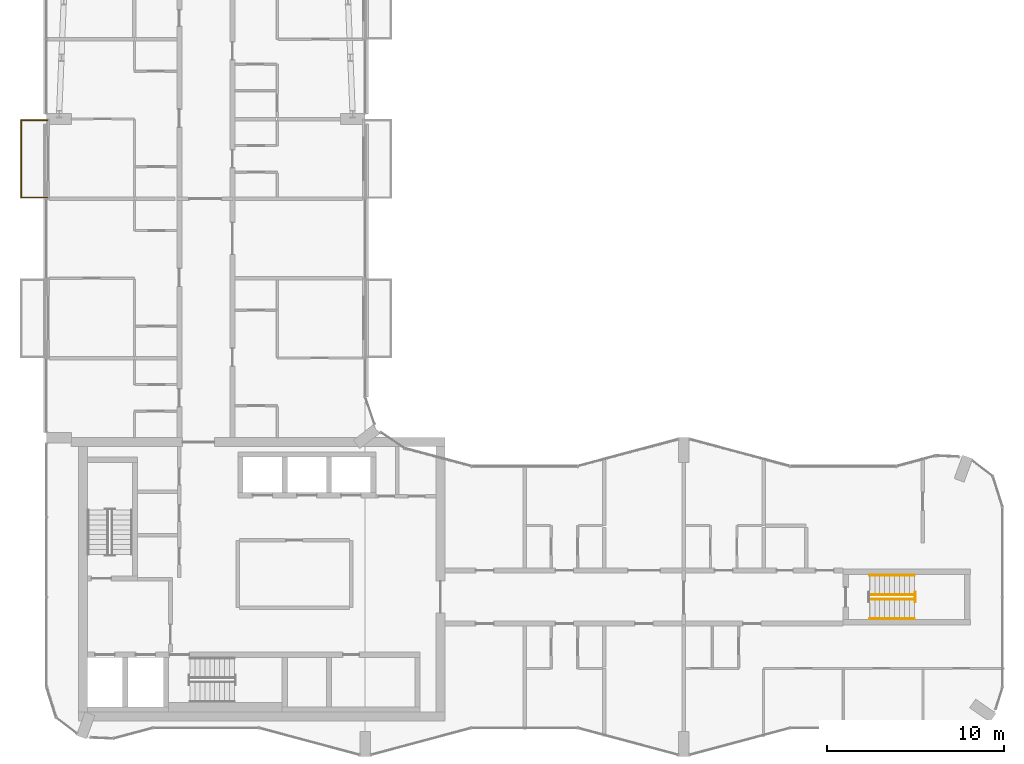
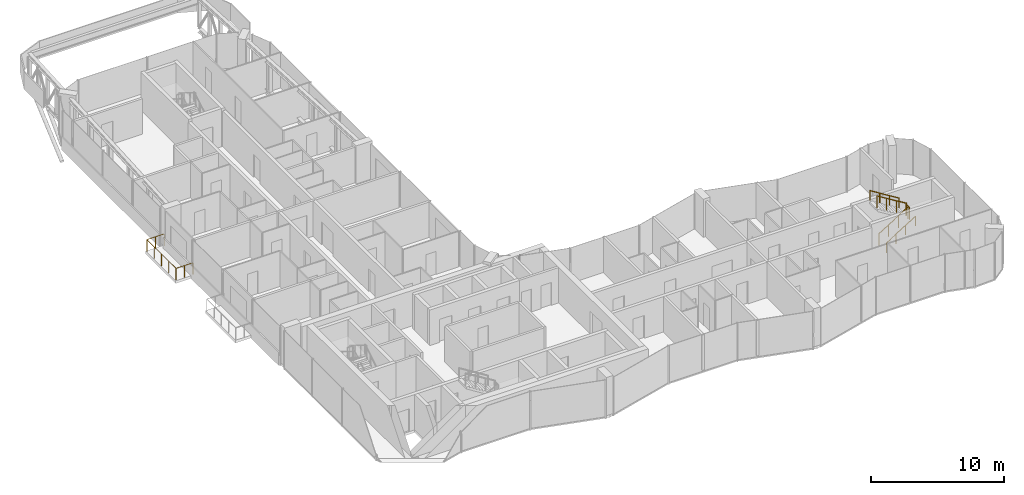
# One storey, part 16 of 17: 6 railings.
"""IFC4 building model written with IfcOpenShell, lengths in metres."""

from ifc_helpers import new_model, si_unit, direction, frame, origin, origin_2d, place, context, subcontext, project, spatial, circle, extrude, material, type_object, element, save


model = new_model("IFC4")

# Units and contexts
model_context = context("Model", 3, precision=1e-05, world=origin(), true_north=direction((0.0, 1.0)))
body_context = subcontext(model_context, "Body", "Model", "MODEL_VIEW")
ifc_project = project(units=[si_unit("LENGTHUNIT", "METRE"), si_unit("AREAUNIT", "SQUARE_METRE"), si_unit("VOLUMEUNIT", "CUBIC_METRE"), si_unit("PLANEANGLEUNIT", "RADIAN"), si_unit("MASSUNIT", "GRAM", prefix="KILO")], contexts=[model_context])

# Site, building, storey
site_placement = place(None, origin())
site = spatial("IfcSite", under=ifc_project, at=site_placement, CompositionType="ELEMENT")
building_placement = place(site_placement, origin())
building = spatial("IfcBuilding", under=site, at=building_placement, Name="Plateau Cross Towers", CompositionType="ELEMENT")
storey_placement = place(building_placement, frame((0.0, 0.0, 222.39990234375)))
storey = spatial("IfcBuildingStorey", under=building, at=storey_placement, Name="L58", CompositionType="ELEMENT", Elevation=222.39990234375)

# Railings
ifc_material_1 = material(Name="Stainless steel and toughened glass", Category="steel")
railing_type_1 = type_object("IfcRailingType", Name="Glass balustrade guard 1100", PredefinedType="GUARDRAIL", material=ifc_material_1)
railing_1_placement = place(storey_placement, frame((0.050048828125, 31.570068359375, 0.0)))
element("IfcRailing", 1, at=railing_1_placement, inside=storey, type_object=railing_type_1, Name="Guard guard1", PredefinedType="GUARDRAIL", context=body_context, shape_type="SweptSolid", body=[
    extrude(circle(Radius=0.02392578125, at=origin_2d()), frame((0.0, 0.0, 1.076171875), z_axis=(-1.0, 0.0, 0.0), x_axis=(0.0, -1.0, 0.0)), (0.0, 0.0, 1.0), 1.47998046875),
    extrude(circle(Radius=0.02392578125, at=origin_2d()), frame((-1.47998046875, 0.0, 1.076171875), z_axis=(0.0, 1.0, 0.0), x_axis=(-1.0, 0.0, 0.0)), (0.0, 0.0, 1.0), 4.35986328125),
    extrude(circle(Radius=0.02392578125, at=origin_2d()), frame((-1.47998046875, 4.35986328125, 1.076171875), z_axis=(1.0, 0.0, 0.0), x_axis=(0.0, 1.0, 0.0)), (0.0, 0.0, 1.0), 1.47998046875),
    extrude(circle(Radius=0.02099609375, at=origin_2d()), origin(), (0.0, 0.0, 1.0), 1.052001953125),
    extrude(circle(Radius=0.02099609375, at=origin_2d()), frame((-0.739990234375, 0.0, 0.0)), (0.0, 0.0, 1.0), 1.052001953125),
    extrude(circle(Radius=0.02099609375, at=origin_2d()), frame((-1.47998046875, 0.0, 0.0)), (0.0, 0.0, 1.0), 1.052001953125),
    extrude(circle(Radius=0.02099609375, at=origin_2d()), frame((-1.47998046875, 1.08984375, 0.0)), (0.0, 0.0, 1.0), 1.052001953125),
    extrude(circle(Radius=0.02099609375, at=origin_2d()), frame((-1.47998046875, 2.179931640625, 0.0)), (0.0, 0.0, 1.0), 1.052001953125),
    extrude(circle(Radius=0.02099609375, at=origin_2d()), frame((-1.47998046875, 3.27001953125, 0.0)), (0.0, 0.0, 1.0), 1.052001953125),
    extrude(circle(Radius=0.02099609375, at=origin_2d()), frame((-1.47998046875, 4.35986328125, 0.0)), (0.0, 0.0, 1.0), 1.052001953125),
    extrude(circle(Radius=0.02099609375, at=origin_2d()), frame((-0.739990234375, 4.35986328125, 0.0)), (0.0, 0.0, 1.0), 1.052001953125),
    extrude(circle(Radius=0.02099609375, at=origin_2d()), frame((0.0, 4.35986328125, 0.0)), (0.0, 0.0, 1.0), 1.052001953125),
])
railing_type_2 = type_object("IfcRailingType", Name="RL-GUARD-1100", PredefinedType="GUARDRAIL", material=ifc_material_1)
railing_2_placement = place(storey_placement, frame((46.5, 8.875, 0.175048828125)))
element("IfcRailing", 2, at=railing_2_placement, inside=storey, type_object=railing_type_2, Name="L58 ES-E stair guard 1", PredefinedType="GUARDRAIL", context=body_context, shape_type="SweptSolid", body=[
    extrude(circle(Radius=0.02392578125, at=origin_2d()), frame((0.0, 0.0, 1.076171875), z_axis=(0.848007534815, 0.0, 0.529984170421), x_axis=(0.0, 1.0, 0.0)), (0.0, 0.0, 1.0), 2.9716796875),
    extrude(circle(Radius=0.02099609375, at=origin_2d()), origin(), (0.0, 0.0, 1.0), 1.052001953125),
    extrude(circle(Radius=0.02099609375, at=origin_2d()), frame((0.840087890625, 0.0, 0.52490234375)), (0.0, 0.0, 1.0), 1.052001953125),
    extrude(circle(Radius=0.02099609375, at=origin_2d()), frame((1.679931640625, 0.0, 1.050048828125)), (0.0, 0.0, 1.0), 1.052001953125),
    extrude(circle(Radius=0.02099609375, at=origin_2d()), frame((2.52001953125, 0.0, 1.574951171875)), (0.0, 0.0, 1.0), 1.052001953125),
])
railing_3_placement = place(storey_placement, frame((49.070068359375, 8.72509765625, 1.75)))
element("IfcRailing", 3, at=railing_3_placement, inside=storey, type_object=railing_type_2, Name="L58 ES-E stair guard 2", PredefinedType="GUARDRAIL", context=body_context, shape_type="SweptSolid", body=[
    extrude(circle(Radius=0.02392578125, at=origin_2d()), frame((0.0, 0.0, 1.076171875), z_axis=(0.0, 1.0, 0.0), x_axis=(-1.0, 0.0, 0.0)), (0.0, 0.0, 1.0), 0.5498046875),
    extrude(circle(Radius=0.02099609375, at=origin_2d()), origin(), (0.0, 0.0, 1.0), 1.052001953125),
    extrude(circle(Radius=0.02099609375, at=origin_2d()), frame((0.0, 0.5498046875, 0.0)), (0.0, 0.0, 1.0), 1.052001953125),
])
railing_4_placement = place(storey_placement, frame((49.02001953125, 9.125, 1.925048828125)))
element("IfcRailing", 4, at=railing_4_placement, inside=storey, type_object=railing_type_2, Name="L58 ES-E stair guard 3", PredefinedType="GUARDRAIL", context=body_context, shape_type="SweptSolid", body=[
    extrude(circle(Radius=0.02392578125, at=origin_2d()), frame((0.0, 0.0, 1.076171875), z_axis=(-0.852638500773, 0.0, 0.522501279423), x_axis=(0.0, -1.0, 0.0)), (0.0, 0.0, 1.0), 3.01416015625),
    extrude(circle(Radius=0.02099609375, at=origin_2d()), origin(), (0.0, 0.0, 1.0), 1.052001953125),
    extrude(circle(Radius=0.02099609375, at=origin_2d()), frame((-0.856689453125, 0.0, 0.52490234375)), (0.0, 0.0, 1.0), 1.052001953125),
    extrude(circle(Radius=0.02099609375, at=origin_2d()), frame((-1.71337890625, 0.0, 1.050048828125)), (0.0, 0.0, 1.0), 1.052001953125),
    extrude(circle(Radius=0.02099609375, at=origin_2d()), frame((-2.570068359375, 0.0, 1.574951171875)), (0.0, 0.0, 1.0), 1.052001953125),
])
ifc_material_2 = material(Name="Black anodised aluminium", Category="aluminium")
railing_type_3 = type_object("IfcRailingType", Name="RL-HANDRAIL-900", PredefinedType="HANDRAIL", material=ifc_material_2)
railing_5_placement = place(storey_placement, frame((46.5, 7.77490234375, 0.175048828125)))
element("IfcRailing", 5, at=railing_5_placement, inside=storey, type_object=railing_type_3, Name="L58 ES-E stair handrail 1", PredefinedType="HANDRAIL", context=body_context, shape_type="SweptSolid", body=[
    extrude(circle(Radius=0.02392578125, at=origin_2d()), frame((0.0, 0.0, 0.8759765625), z_axis=(0.848007534815, 0.0, 0.529984170421), x_axis=(0.0, 1.0, 0.0)), (0.0, 0.0, 1.0), 2.9716796875),
    extrude(circle(Radius=0.02099609375, at=origin_2d()), origin(), (0.0, 0.0, 1.0), 0.851806640625),
    extrude(circle(Radius=0.02099609375, at=origin_2d()), frame((0.840087890625, 0.0, 0.52490234375)), (0.0, 0.0, 1.0), 0.851806640625),
    extrude(circle(Radius=0.02099609375, at=origin_2d()), frame((1.679931640625, 0.0, 1.050048828125)), (0.0, 0.0, 1.0), 0.851806640625),
    extrude(circle(Radius=0.02099609375, at=origin_2d()), frame((2.52001953125, 0.0, 1.574951171875)), (0.0, 0.0, 1.0), 0.851806640625),
])
railing_6_placement = place(storey_placement, frame((49.02001953125, 10.22509765625, 1.925048828125)))
element("IfcRailing", 6, at=railing_6_placement, inside=storey, type_object=railing_type_3, Name="L58 ES-E stair handrail 2", PredefinedType="HANDRAIL", context=body_context, shape_type="SweptSolid", body=[
    extrude(circle(Radius=0.02392578125, at=origin_2d()), frame((0.0, 0.0, 0.8759765625), z_axis=(-0.848007534815, 0.0, 0.529984170421), x_axis=(0.0, -1.0, 0.0)), (0.0, 0.0, 1.0), 2.9716796875),
    extrude(circle(Radius=0.02099609375, at=origin_2d()), origin(), (0.0, 0.0, 1.0), 0.851806640625),
    extrude(circle(Radius=0.02099609375, at=origin_2d()), frame((-0.840087890625, 0.0, 0.52490234375)), (0.0, 0.0, 1.0), 0.851806640625),
    extrude(circle(Radius=0.02099609375, at=origin_2d()), frame((-1.679931640625, 0.0, 1.050048828125)), (0.0, 0.0, 1.0), 0.851806640625),
    extrude(circle(Radius=0.02099609375, at=origin_2d()), frame((-2.52001953125, 0.0, 1.574951171875)), (0.0, 0.0, 1.0), 0.851806640625),
])

save(model, "model.ifc")
